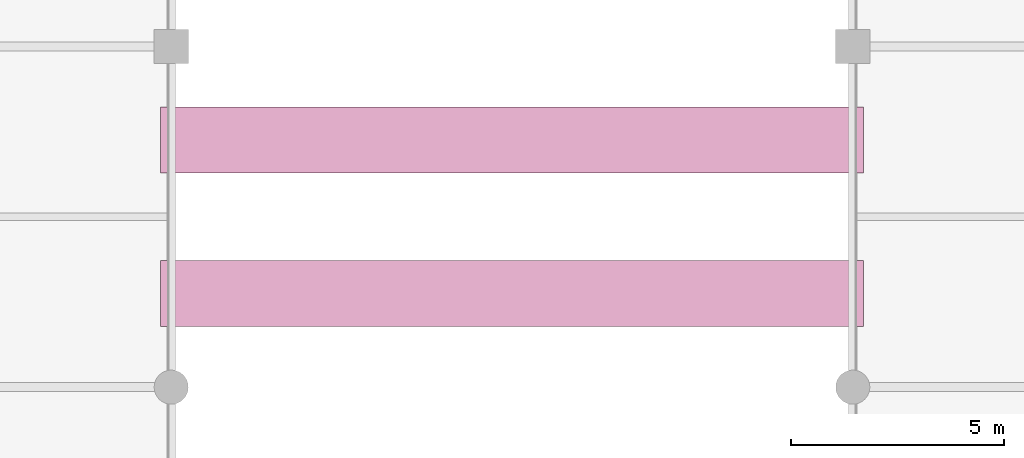
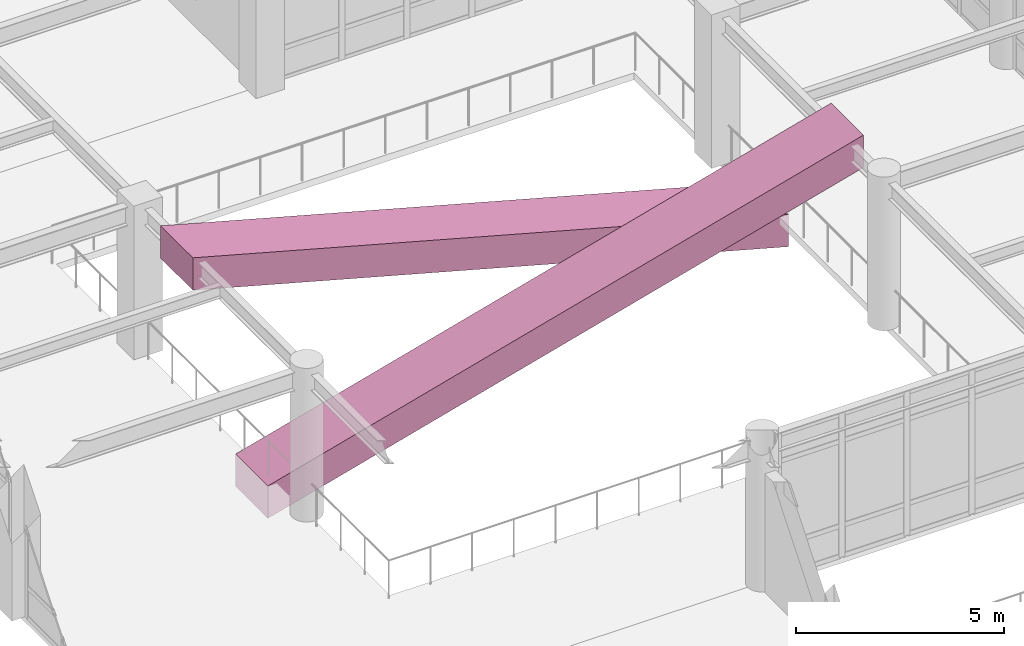
# One storey, part 111 of 111: 2 transport elements.
"""IFC4 building model written with IfcOpenShell, lengths in metres."""

from ifc_helpers import new_model, si_unit, direction, frame, origin, place, context, subcontext, project, spatial, polyline, outline, extrude, material, type_object, element, save


model = new_model("IFC4")

# Units and contexts
model_context = context("Model", 3, precision=1e-05, world=origin(), true_north=direction((0.0, 1.0)))
body_context = subcontext(model_context, "Body", "Model", "MODEL_VIEW")
ifc_project = project(units=[si_unit("LENGTHUNIT", "METRE"), si_unit("AREAUNIT", "SQUARE_METRE"), si_unit("VOLUMEUNIT", "CUBIC_METRE"), si_unit("PLANEANGLEUNIT", "RADIAN"), si_unit("MASSUNIT", "GRAM", prefix="KILO")], contexts=[model_context])

# Site, building, storey
site_placement = place(None, origin())
site = spatial("IfcSite", under=ifc_project, at=site_placement, CompositionType="ELEMENT")
building_placement = place(site_placement, origin())
building = spatial("IfcBuilding", under=site, at=building_placement, Name="Solmirada Galleria", CompositionType="ELEMENT")
storey_placement = place(building_placement, frame((0.0, 0.0, 10.39990234375)))
storey = spatial("IfcBuildingStorey", under=building, at=storey_placement, Name="L02", CompositionType="ELEMENT", Elevation=10.39990234375)

# Transport elements
ifc_material = material(Name="Stainless-steel and stone elevator cab", Category="masonry")
transport_element_type = type_object("IfcTransportElementType", Name="ESC-ATRIUM-1000", PredefinedType="ESCALATOR", material=ifc_material)
for number, where, z_axis, x_axis, name in (
    (1, (87.85009765625, 58.199951171875, 0.0), (0.0, 0.0, 1.0), (1.0, 0.0, 0.0), "Atrium escalator L02 UP"),
    (2, (104.14990234375, 61.800048828125, 0.0), (0.0, 0.0, 1.0), (-1.0, 0.0, 0.0), "Atrium escalator L02 DN"),
):
    element("IfcTransportElement", number, at=place(storey_placement, frame(where, z_axis=z_axis, x_axis=x_axis)), inside=storey, type_object=transport_element_type, Name=name, PredefinedType="ESCALATOR", context=body_context, shape_type="SweptSolid", body=[
        extrude(outline(polyline([(-0.10009765625, 0.0), (16.400146484375, 4.5), (16.400146484375, 3.550048828125), (-0.10009765625, -0.949951171875), (-0.10009765625, 0.0)])), frame((0.0, 0.77490234375, 0.0), z_axis=(0.0, -1.0, 0.0), x_axis=(1.0, 0.0, 0.0)), (0.0, 0.0, 1.0), 1.550048828125),
    ])

save(model, "model.ifc")
